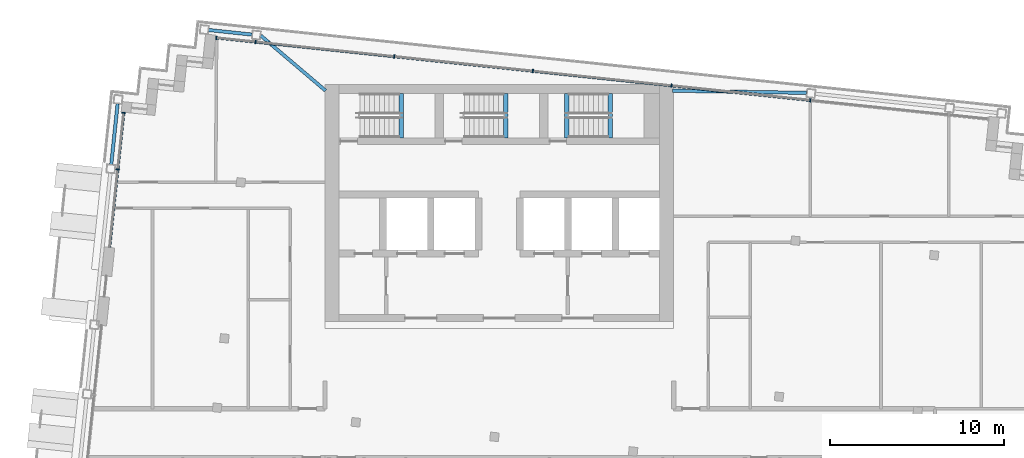
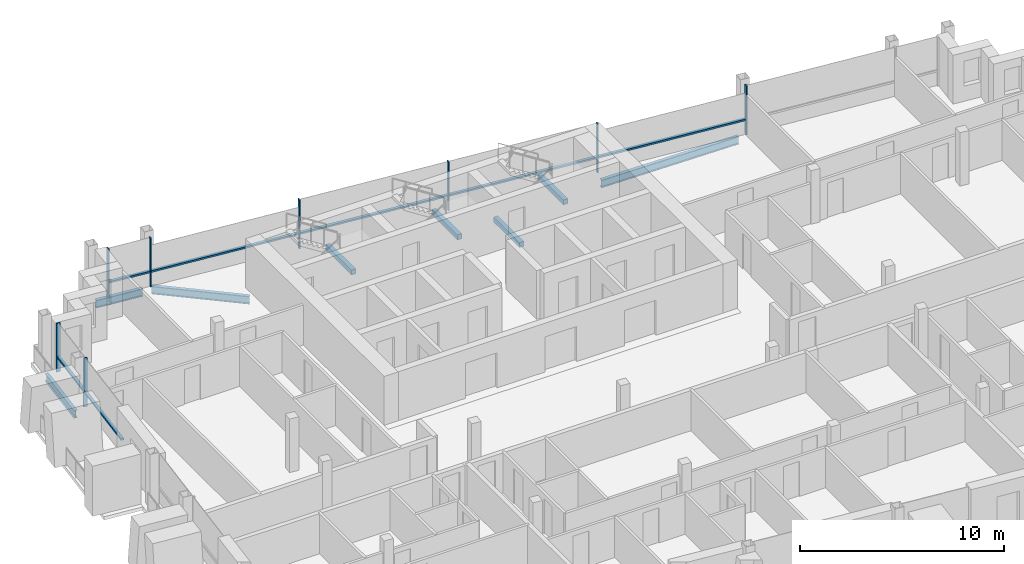
# One storey, part 5 of 16: 15 members, 8 beams, 2 elements without a shape of their own.
"""IFC4 building model written with IfcOpenShell, lengths in metres."""

from ifc_helpers import new_model, si_unit, direction, frame, origin, origin_2d, place, context, subcontext, project, spatial, rectangle, i_section, extrude, material, material_profile, profile_set, type_object, element, aggregate, save


model = new_model("IFC4")

# Units and contexts
model_context = context("Model", 3, precision=1e-05, world=origin(), true_north=direction((0.0, 1.0)))
body_context = subcontext(model_context, "Body", "Model", "MODEL_VIEW")
ifc_project = project(units=[si_unit("LENGTHUNIT", "METRE"), si_unit("AREAUNIT", "SQUARE_METRE"), si_unit("VOLUMEUNIT", "CUBIC_METRE"), si_unit("PLANEANGLEUNIT", "RADIAN"), si_unit("MASSUNIT", "GRAM", prefix="KILO")], contexts=[model_context])

# Site, building, storey
site_placement = place(None, origin())
site = spatial("IfcSite", under=ifc_project, at=site_placement, CompositionType="ELEMENT")
building_placement = place(site_placement, origin())
building = spatial("IfcBuilding", under=site, at=building_placement, Name="Vidyagriha Tower", CompositionType="ELEMENT")
storey_placement = place(building_placement, frame((0.0, 0.0, 253.10009765625)))
storey = spatial("IfcBuildingStorey", under=building, at=storey_placement, Name="L65", CompositionType="ELEMENT", Elevation=253.10009765625)

# Beams
ifc_material_1 = material(Name="Steel ASTM A992 Grade 50", Category="steel")
ifc_material_profile_1 = material_profile(ifc_material_1, i_section(OverallWidth=0.19189453125, OverallDepth=0.46240234375, WebThickness=0.010498046875, FlangeThickness=0.017578125, at=origin_2d()), Name="W18X60")
ifc_profile_set_1 = profile_set([ifc_material_profile_1], Name="Steel ASTM A992 Grade 50")
beam_type_1 = type_object("IfcBeamType", Name="Edge beam W18X60", PredefinedType="SPANDREL", material=ifc_profile_set_1)
beam_1_placement = place(storey_placement, frame((-22.263916015625, 15.422607421875, -0.51123046875), z_axis=(0.104495960989, 0.994525310958, 0.0), x_axis=(-0.994525310958, 0.104495960989, 0.0)))
element("IfcBeam", 1, at=beam_1_placement, inside=storey, type_object=beam_type_1, Name="st-beam-L65-W12", PredefinedType="SPANDREL", context=body_context, shape_type="SweptSolid", body=[
    extrude(i_section(OverallWidth=0.19189453125, OverallDepth=0.46240234375, WebThickness=0.010498046875, FlangeThickness=0.017578125, at=origin_2d()), origin(), (0.0, 0.0, 1.0), 3.499755859375),
])
beam_2_placement = place(storey_placement, frame((-16.677490234375, 23.130859375, -0.51123046875), z_axis=(0.994514546653, -0.104598357995, 0.0), x_axis=(0.104598357995, 0.994514546653, 0.0)))
element("IfcBeam", 2, at=beam_2_placement, inside=storey, type_object=beam_type_1, Name="st-beam-L65-NW18", PredefinedType="SPANDREL", context=body_context, shape_type="SweptSolid", body=[
    extrude(i_section(OverallWidth=0.19189453125, OverallDepth=0.46240234375, WebThickness=0.010498046875, FlangeThickness=0.017578125, at=origin_2d()), origin(), (0.0, 0.0, 1.0), 2.499755859375),
])
beam_3_placement = place(storey_placement, frame((-13.694091796875, 22.817138671875, -0.51123046875), z_axis=(0.762224865329, -0.647312331625, 0.0), x_axis=(0.647312331625, 0.762224865329, 0.0)))
element("IfcBeam", 3, at=beam_3_placement, inside=storey, type_object=beam_type_1, Name="st-beam-L65-NC21", PredefinedType="SPANDREL", context=body_context, shape_type="SweptSolid", body=[
    extrude(i_section(OverallWidth=0.19189453125, OverallDepth=0.46240234375, WebThickness=0.010498046875, FlangeThickness=0.017578125, at=origin_2d()), origin(), (0.0, 0.0, 1.0), 4.892822265625),
])
beam_4_placement = place(storey_placement, frame((9.92578125, 19.64990234375, -0.51123046875), z_axis=(0.99986748631, -0.016279122203, 0.0), x_axis=(0.016279122203, 0.99986748631, 0.0)))
element("IfcBeam", 4, at=beam_4_placement, inside=storey, type_object=beam_type_1, Name="st-beam-L65-NC22", PredefinedType="SPANDREL", context=body_context, shape_type="SweptSolid", body=[
    extrude(i_section(OverallWidth=0.19189453125, OverallDepth=0.46240234375, WebThickness=0.010498046875, FlangeThickness=0.017578125, at=origin_2d()), origin(), (0.0, 0.0, 1.0), 7.70849609375),
])

# Curtain wall, members
ifc_material_2 = material(Name="Aluminium and glass curtain wall", Category="aluminium")
curtain_wall_type = type_object("IfcCurtainWallType", Name="Dwelling skin unitised curtain wall", PredefinedType="USERDEFINED", material=ifc_material_2)
curtain_wall_1_placement = place(storey_placement, origin())
curtain_wall_1 = element("IfcCurtainWall", 5, at=curtain_wall_1_placement, inside=storey, type_object=curtain_wall_type, Name="CW1 dwelling skin", ObjectType="UNITISED", PredefinedType="USERDEFINED")
ifc_material_3 = material(Name="Aluminium black anodised", Category="aluminium")
ifc_material_profile_2 = material_profile(ifc_material_3, rectangle(XDim=0.199951171875, YDim=0.070068359375, at=origin_2d()), Name="Mullion 70x200 black aluminium")
ifc_profile_set_2 = profile_set([ifc_material_profile_2], Name="Aluminium black anodised")
member_type_1 = type_object("IfcMemberType", Name="Mullion 70x200 black aluminium", PredefinedType="MULLION", material=ifc_profile_set_2)
member_1_placement = place(storey_placement, frame((17.840087890625, 19.1005859375, 0.0), z_axis=(0.0, 0.0, 1.0), x_axis=(-0.104528852722, -0.994521854435, 0.0)))
member_1 = element("IfcMember", 6, at=member_1_placement, type_object=member_type_1, Name="CW1 mullion 3", PredefinedType="MULLION", context=body_context, shape_type="SweptSolid", body=[
    extrude(rectangle(XDim=0.199951171875, YDim=0.070068359375, at=origin_2d()), origin(), (0.0, 0.0, 1.0), 2.919921875),
])
member_2_placement = place(storey_placement, frame((9.884033203125, 19.936767578125, 0.0), z_axis=(0.0, 0.0, 1.0), x_axis=(-0.104528852722, -0.994521854435, 0.0)))
member_2 = element("IfcMember", 7, at=member_2_placement, type_object=member_type_1, Name="CW1 mullion 4", PredefinedType="MULLION", context=body_context, shape_type="SweptSolid", body=[
    extrude(rectangle(XDim=0.199951171875, YDim=0.070068359375, at=origin_2d()), origin(), (0.0, 0.0, 1.0), 2.919921875),
])
member_3_placement = place(storey_placement, frame((1.927978515625, 20.773193359375, 0.0), z_axis=(0.0, 0.0, 1.0), x_axis=(-0.104528852722, -0.994521854435, 0.0)))
member_3 = element("IfcMember", 8, at=member_3_placement, type_object=member_type_1, Name="CW1 mullion 5", PredefinedType="MULLION", context=body_context, shape_type="SweptSolid", body=[
    extrude(rectangle(XDim=0.199951171875, YDim=0.070068359375, at=origin_2d()), origin(), (0.0, 0.0, 1.0), 2.919921875),
])
member_4_placement = place(storey_placement, frame((-6.0283203125, 21.609375, 0.0), z_axis=(0.0, 0.0, 1.0), x_axis=(-0.104528852722, -0.994521854435, 0.0)))
member_4 = element("IfcMember", 9, at=member_4_placement, type_object=member_type_1, Name="CW1 mullion 6", PredefinedType="MULLION", context=body_context, shape_type="SweptSolid", body=[
    extrude(rectangle(XDim=0.199951171875, YDim=0.070068359375, at=origin_2d()), origin(), (0.0, 0.0, 1.0), 2.919921875),
])
member_5_placement = place(storey_placement, frame((-13.984375, 22.445556640625, 0.0), z_axis=(0.0, 0.0, 1.0), x_axis=(-0.104528852722, -0.994521854435, 0.0)))
member_5 = element("IfcMember", 10, at=member_5_placement, type_object=member_type_1, Name="CW1 mullion 7", PredefinedType="MULLION", context=body_context, shape_type="SweptSolid", body=[
    extrude(rectangle(XDim=0.199951171875, YDim=0.070068359375, at=origin_2d()), origin(), (0.0, 0.0, 1.0), 2.919921875),
])
member_6_placement = place(storey_placement, frame((-16.2373046875, 22.682373046875, 0.0), z_axis=(0.0, 0.0, 1.0), x_axis=(-0.104528852722, -0.994521854435, 0.0)))
member_6 = element("IfcMember", 11, at=member_6_placement, type_object=member_type_1, Name="CW1 mullion 8", PredefinedType="MULLION", context=body_context, shape_type="SweptSolid", body=[
    extrude(rectangle(XDim=0.199951171875, YDim=0.070068359375, at=origin_2d()), origin(), (0.0, 0.0, 1.0), 2.919921875),
])

curtain_wall_2_placement = place(storey_placement, origin())
curtain_wall_2 = element("IfcCurtainWall", 12, at=curtain_wall_2_placement, inside=storey, type_object=curtain_wall_type, Name="CW1 dwelling skin", ObjectType="UNITISED", PredefinedType="USERDEFINED")
member_7_placement = place(storey_placement, frame((-21.551025390625, 18.379150390625, 0.0), z_axis=(0.0, 0.0, 1.0), x_axis=(0.994522229676, -0.104525282489, 0.0)))
member_7 = element("IfcMember", 13, at=member_7_placement, type_object=member_type_1, Name="CW1 mullion 1", PredefinedType="MULLION", context=body_context, shape_type="SweptSolid", body=[
    extrude(rectangle(XDim=0.199951171875, YDim=0.070068359375, at=origin_2d()), origin(), (0.0, 0.0, 1.0), 2.919921875),
])
member_8_placement = place(storey_placement, frame((-21.892333984375, 15.132080078125, 0.0), z_axis=(0.0, 0.0, 1.0), x_axis=(0.994522229676, -0.104525282489, 0.0)))
member_8 = element("IfcMember", 14, at=member_8_placement, type_object=member_type_1, Name="CW1 mullion 2", PredefinedType="MULLION", context=body_context, shape_type="SweptSolid", body=[
    extrude(rectangle(XDim=0.199951171875, YDim=0.070068359375, at=origin_2d()), origin(), (0.0, 0.0, 1.0), 2.919921875),
])

# Beams
ifc_material_4 = material(Name="Concrete C40/50", Category="concrete")
ifc_material_profile_3 = material_profile(ifc_material_4, rectangle(XDim=0.25, YDim=0.300048828125, at=origin_2d()), Name="Stair landing bearing beam 250x300")
ifc_profile_set_3 = profile_set([ifc_material_profile_3], Name="Concrete C40/50")
beam_type_2 = type_object("IfcBeamType", Name="Stair landing bearing beam 250x300", PredefinedType="BEAM", material=ifc_profile_set_3)
for number, where, z_axis, x_axis, name in (
    (15, (3.875, 16.949951171875, -0.43017578125), (0.0, 1.0, 0.0), (-1.0, 0.0, 0.0), "ST3 floor landing bearing beam L65"),
    (16, (-5.635009765625, 16.949951171875, 1.25), (0.0, 1.0, 0.0), (-1.0, 0.0, 0.0), "ST1 landing bearing beam L65"),
    (17, (0.364990234375, 16.949951171875, 1.25), (0.0, 1.0, 0.0), (-1.0, 0.0, 0.0), "ST2 landing bearing beam L65"),
    (18, (6.364990234375, 16.949951171875, 1.25), (0.0, 1.0, 0.0), (-1.0, 0.0, 0.0), "ST3 landing bearing beam L65"),
):
    element("IfcBeam", number, at=place(storey_placement, frame(where, z_axis=z_axis, x_axis=x_axis)), inside=storey, type_object=beam_type_2, Name=name, PredefinedType="BEAM", context=body_context, shape_type="SweptSolid", body=[
        extrude(rectangle(XDim=0.25, YDim=0.300048828125, at=origin_2d()), origin(), (0.0, 0.0, 1.0), 2.550048828125),
    ])

# Member
ifc_material_5 = material(Name="Aluminium black anodised", Category="aluminium")
ifc_material_profile_4 = material_profile(ifc_material_5, rectangle(XDim=0.159912109375, YDim=0.10009765625, at=origin_2d()), Name="Transom 100x160 black aluminium")
ifc_profile_set_4 = profile_set([ifc_material_profile_4], Name="Aluminium black anodised")
member_type_2 = type_object("IfcMemberType", Name="Transom 100x160 black aluminium", PredefinedType="USERDEFINED", material=ifc_profile_set_4)
member_9_placement = place(storey_placement, frame((17.805419921875, 19.104248046875, 0.89990234375), z_axis=(-0.994522814543, 0.104519717539, 0.0), x_axis=(-0.104519717539, -0.994522814543, 0.0)))
member_9 = element("IfcMember", 19, at=member_9_placement, type_object=member_type_2, Name="CW1 transom 3.1", ObjectType="TRANSOM", PredefinedType="USERDEFINED", context=body_context, shape_type="SweptSolid", body=[
    extrude(rectangle(XDim=0.159912109375, YDim=0.10009765625, at=origin_2d()), origin(), (0.0, 0.0, 1.0), 7.93017578125),
])

member_10_placement = place(storey_placement, frame((9.84912109375, 19.9404296875, 0.89990234375), z_axis=(-0.994519277397, 0.104553368605, 0.0), x_axis=(-0.104553368605, -0.994519277397, 0.0)))
member_10 = element("IfcMember", 20, at=member_10_placement, type_object=member_type_2, Name="CW1 transom 4.1", ObjectType="TRANSOM", PredefinedType="USERDEFINED", context=body_context, shape_type="SweptSolid", body=[
    extrude(rectangle(XDim=0.159912109375, YDim=0.10009765625, at=origin_2d()), origin(), (0.0, 0.0, 1.0), 7.929931640625),
])

member_11_placement = place(storey_placement, frame((1.89306640625, 20.77685546875, 0.89990234375), z_axis=(-0.994522478205, 0.104522917794, 0.0), x_axis=(-0.104522917794, -0.994522478205, 0.0)))
member_11 = element("IfcMember", 21, at=member_11_placement, type_object=member_type_2, Name="CW1 transom 5.1", ObjectType="TRANSOM", PredefinedType="USERDEFINED", context=body_context, shape_type="SweptSolid", body=[
    extrude(rectangle(XDim=0.159912109375, YDim=0.10009765625, at=origin_2d()), origin(), (0.0, 0.0, 1.0), 7.929931640625),
])

member_12_placement = place(storey_placement, frame((-6.06298828125, 21.613037109375, 0.89990234375), z_axis=(-0.994522814543, 0.104519717539, 0.0), x_axis=(-0.104519717539, -0.994522814543, 0.0)))
member_12 = element("IfcMember", 22, at=member_12_placement, type_object=member_type_2, Name="CW1 transom 6.1", ObjectType="TRANSOM", PredefinedType="USERDEFINED", context=body_context, shape_type="SweptSolid", body=[
    extrude(rectangle(XDim=0.159912109375, YDim=0.10009765625, at=origin_2d()), origin(), (0.0, 0.0, 1.0), 7.93017578125),
])

member_13_placement = place(storey_placement, frame((-14.019287109375, 22.44921875, 0.89990234375), z_axis=(-0.994520069272, 0.104545835956, 0.0), x_axis=(-0.104545835956, -0.994520069272, 0.0)))
member_13 = element("IfcMember", 23, at=member_13_placement, type_object=member_type_2, Name="CW1 transom 7.1", ObjectType="TRANSOM", PredefinedType="USERDEFINED", context=body_context, shape_type="SweptSolid", body=[
    extrude(rectangle(XDim=0.159912109375, YDim=0.10009765625, at=origin_2d()), origin(), (0.0, 0.0, 1.0), 2.195068359375),
])

aggregate(curtain_wall_1, [member_1, member_2, member_3, member_4, member_5, member_6, member_9, member_10, member_11, member_12, member_13])

member_14_placement = place(storey_placement, frame((-21.5546875, 18.344482421875, 0.89990234375), z_axis=(-0.104533631179, -0.994521352185, 0.0), x_axis=(0.994521352185, -0.104533631179, 0.0)))
member_14 = element("IfcMember", 24, at=member_14_placement, type_object=member_type_2, Name="CW1 transom 1.1", ObjectType="TRANSOM", PredefinedType="USERDEFINED", context=body_context, shape_type="SweptSolid", body=[
    extrude(rectangle(XDim=0.159912109375, YDim=0.10009765625, at=origin_2d()), origin(), (0.0, 0.0, 1.0), 3.195068359375),
])

member_15_placement = place(storey_placement, frame((-21.89599609375, 15.097412109375, 0.89990234375), z_axis=(-0.104542473379, -0.994520422746, 0.0), x_axis=(0.994520422746, -0.104542473379, 0.0)))
member_15 = element("IfcMember", 25, at=member_15_placement, type_object=member_type_2, Name="CW1 transom 2.1", ObjectType="TRANSOM", PredefinedType="USERDEFINED", context=body_context, shape_type="SweptSolid", body=[
    extrude(rectangle(XDim=0.159912109375, YDim=0.10009765625, at=origin_2d()), origin(), (0.0, 0.0, 1.0), 4.465087890625),
])

aggregate(curtain_wall_2, [member_7, member_8, member_14, member_15])

save(model, "model.ifc")
